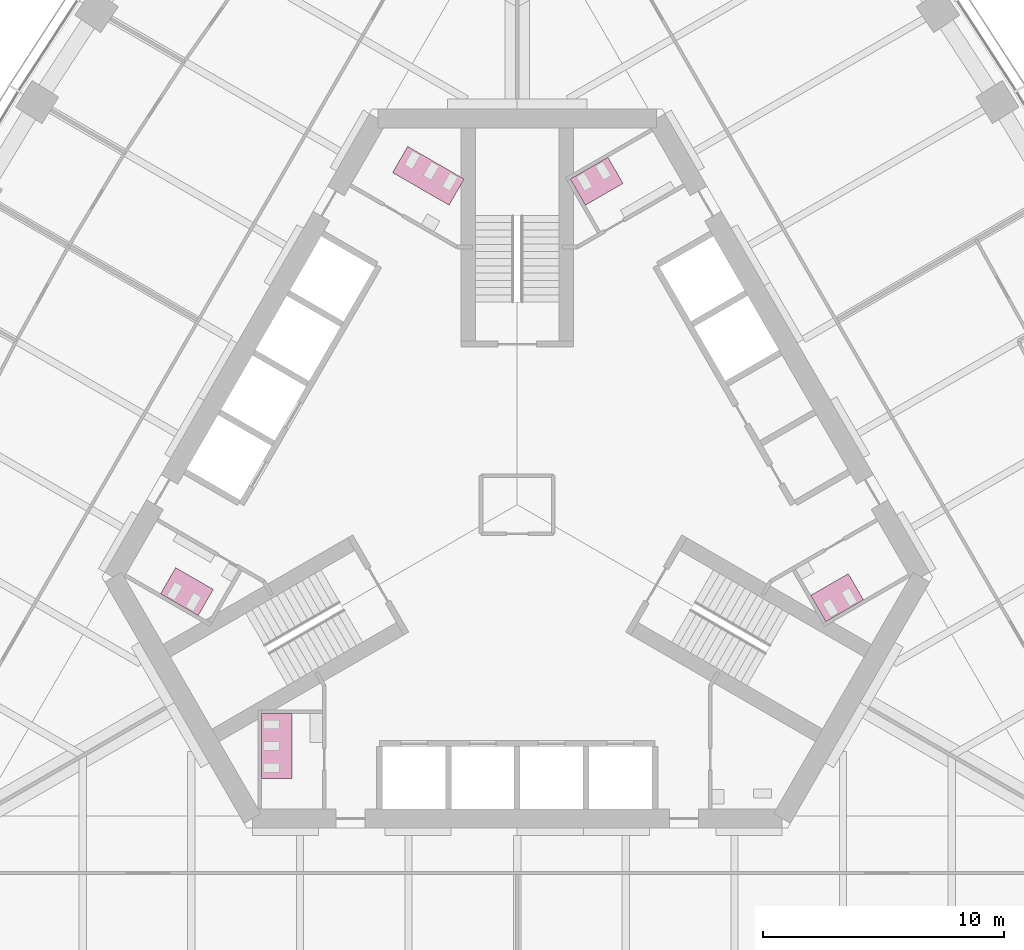
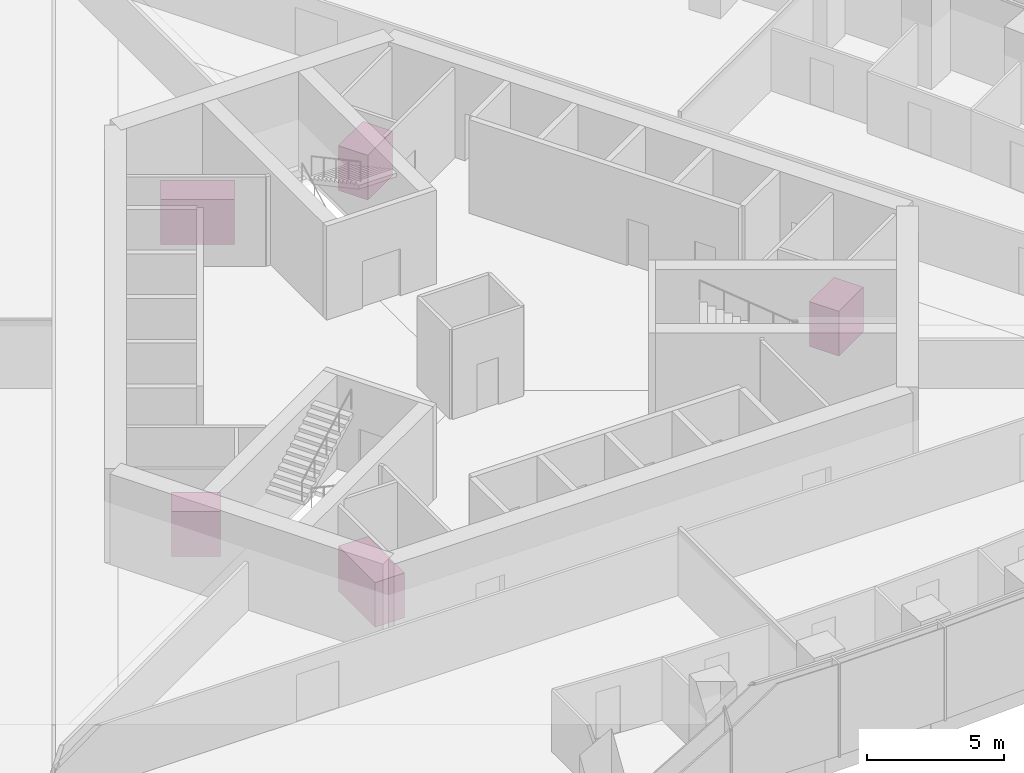
# One storey, part 19 of 19: 5 furniture elements.
"""IFC4 building model written with IfcOpenShell, lengths in metres."""

from ifc_helpers import new_model, si_unit, direction, frame, origin, place, context, subcontext, project, spatial, polyline, outline, extrude, material, type_object, element, save


model = new_model("IFC4")

# Units and contexts
model_context = context("Model", 3, precision=1e-05, world=origin(), true_north=direction((0.0, 1.0)))
body_context = subcontext(model_context, "Body", "Model", "MODEL_VIEW")
ifc_project = project(units=[si_unit("LENGTHUNIT", "METRE"), si_unit("AREAUNIT", "SQUARE_METRE"), si_unit("VOLUMEUNIT", "CUBIC_METRE"), si_unit("PLANEANGLEUNIT", "RADIAN"), si_unit("MASSUNIT", "GRAM", prefix="KILO")], contexts=[model_context])

# Site, building, storey
site_placement = place(None, origin())
site = spatial("IfcSite", under=ifc_project, at=site_placement, CompositionType="ELEMENT")
building_placement = place(site_placement, origin())
building = spatial("IfcBuilding", under=site, at=building_placement, Name="Trefoil Bronze Tower", CompositionType="ELEMENT")
storey_placement = place(building_placement, frame((0.0, 0.0, 132.5)))
storey = spatial("IfcBuildingStorey", under=building, at=storey_placement, Name="L30", CompositionType="ELEMENT", Elevation=132.5)

# Furniture
ifc_material_1 = material(Name="Compact laminate cubicles", Category="plastic")
furniture_type_1 = type_object("IfcFurnitureType", Name="WC cubicle range 2 cubicles", AssemblyPlace="FACTORY", PredefinedType="USERDEFINED", material=ifc_material_1)
furniture_1_placement = place(storey_placement, origin())
element("IfcFurniture", 1, at=furniture_1_placement, inside=storey, type_object=furniture_type_1, Name="WC cubicle range WC (women) L30", ObjectType="WC cubicle range", PredefinedType="USERDEFINED", context=body_context, shape_type="SweptSolid", body=[
    extrude(outline(polyline([(12.15869140625, -3.75927734375), (12.78369140625, -4.841796875), (14.342529296875, -3.94189453125), (13.717529296875, -2.859375), (12.15869140625, -3.75927734375)])), origin(), (0.0, 0.0, 1.0), 2.0),
])
furniture_2_placement = place(storey_placement, origin())
element("IfcFurniture", 2, at=furniture_2_placement, inside=storey, type_object=furniture_type_1, Name="WC cubicle range WC (men) L30", ObjectType="WC cubicle range", PredefinedType="USERDEFINED", context=body_context, shape_type="SweptSolid", body=[
    extrude(outline(polyline([(2.82373046875, 12.409423828125), (2.19873046875, 13.491943359375), (3.757568359375, 14.391845703125), (4.382568359375, 13.309326171875), (2.82373046875, 12.409423828125)])), origin(), (0.0, 0.0, 1.0), 2.0),
])
furniture_3_placement = place(storey_placement, origin())
element("IfcFurniture", 3, at=furniture_3_placement, inside=storey, type_object=furniture_type_1, Name="WC cubicle range WC (men) L30", ObjectType="WC cubicle range", PredefinedType="USERDEFINED", context=body_context, shape_type="SweptSolid", body=[
    extrude(outline(polyline([(-12.591552734375, -3.50927734375), (-13.216552734375, -4.591796875), (-14.775390625, -3.69189453125), (-14.150390625, -2.609375), (-12.591552734375, -3.50927734375)])), origin(), (0.0, 0.0, 1.0), 2.0),
])
ifc_material_2 = material(Name="Compact laminate cubicles", Category="plastic")
furniture_type_2 = type_object("IfcFurnitureType", Name="WC cubicle range 3 cubicles", AssemblyPlace="FACTORY", PredefinedType="USERDEFINED", material=ifc_material_2)
furniture_4_placement = place(storey_placement, origin())
element("IfcFurniture", 4, at=furniture_4_placement, inside=storey, type_object=furniture_type_2, Name="WC cubicle range WC (women) L30", ObjectType="WC cubicle range", PredefinedType="USERDEFINED", context=body_context, shape_type="SweptSolid", body=[
    extrude(outline(polyline([(-2.82373046875, 12.409423828125), (-2.19873046875, 13.491943359375), (-4.536865234375, 14.841796875), (-5.161865234375, 13.75927734375), (-2.82373046875, 12.409423828125)])), origin(), (0.0, 0.0, 1.0), 2.0),
])
furniture_5_placement = place(storey_placement, origin())
element("IfcFurniture", 5, at=furniture_5_placement, inside=storey, type_object=furniture_type_2, Name="WC cubicle range WC (women) L30", ObjectType="WC cubicle range", PredefinedType="USERDEFINED", context=body_context, shape_type="SweptSolid", body=[
    extrude(outline(polyline([(-9.3349609375, -8.64990234375), (-10.5849609375, -8.64990234375), (-10.5849609375, -11.35009765625), (-9.3349609375, -11.35009765625), (-9.3349609375, -8.64990234375)])), origin(), (0.0, 0.0, 1.0), 2.0),
])

save(model, "model.ifc")
